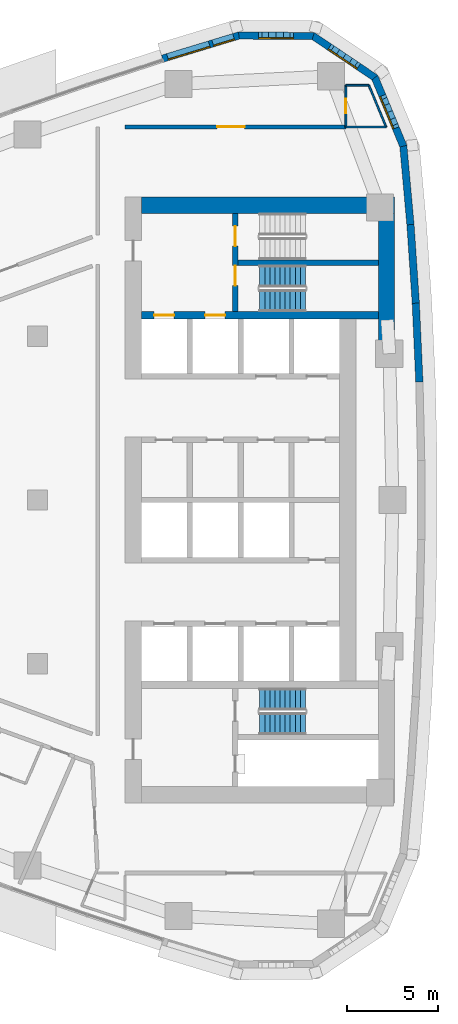
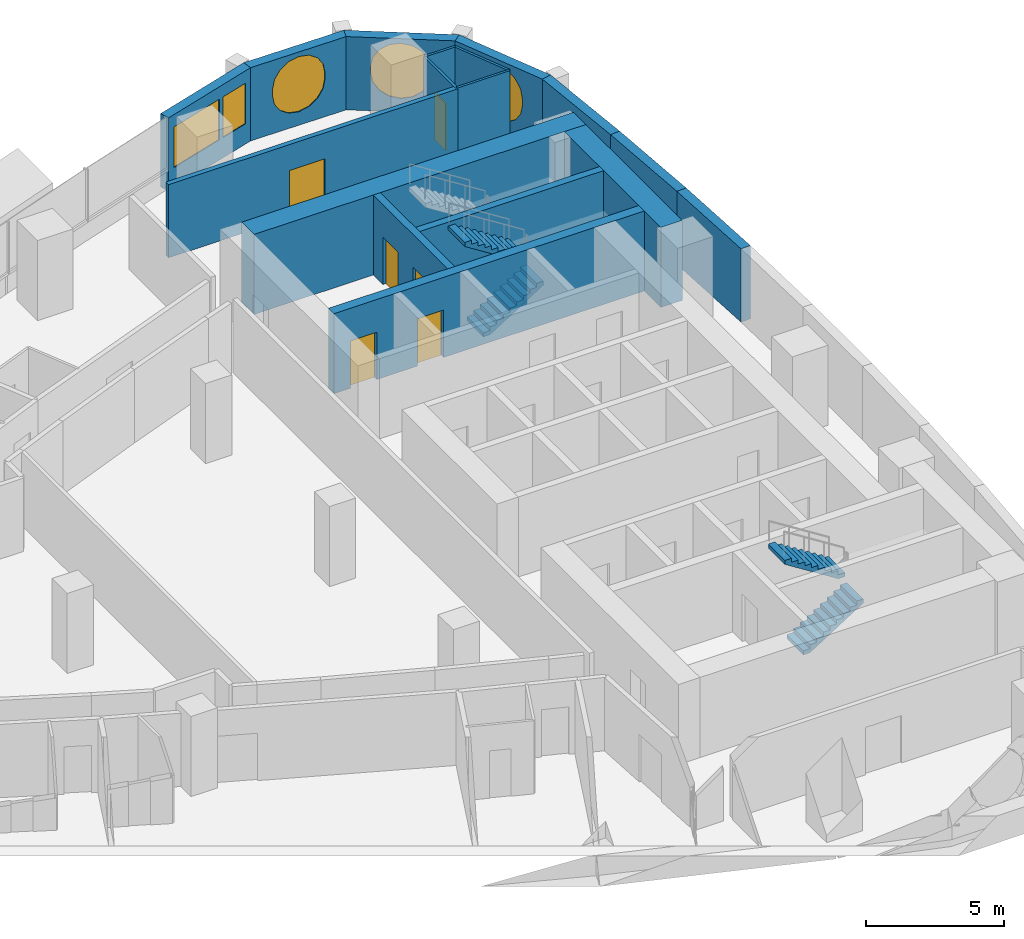
# One storey, part 12 of 17: 17 walls, 6 doors, 5 windows, 4 stair flights, 11 openings, 2 elements without a shape of their own.
"""IFC4 building model written with IfcOpenShell, lengths in metres."""

from ifc_helpers import new_model, si_unit, direction, frame, frame_2d, origin, place, context, subcontext, project, spatial, polyline, rectangle, outline, extrude, material, layer, layer_set, type_object, element, fill, aggregate, save


model = new_model("IFC4")

# Units and contexts
model_context = context("Model", 3, precision=1e-05, world=origin(), true_north=direction((0.0, 1.0)))
body_context = subcontext(model_context, "Body", "Model", "MODEL_VIEW")
ifc_project = project(units=[si_unit("LENGTHUNIT", "METRE"), si_unit("AREAUNIT", "SQUARE_METRE"), si_unit("VOLUMEUNIT", "CUBIC_METRE"), si_unit("PLANEANGLEUNIT", "RADIAN"), si_unit("MASSUNIT", "GRAM", prefix="KILO")], contexts=[model_context])

# Site, building, storey
site_placement = place(None, origin())
site = spatial("IfcSite", under=ifc_project, at=site_placement, CompositionType="ELEMENT")
building_placement = place(site_placement, origin())
building = spatial("IfcBuilding", under=site, at=building_placement, Name="Ostrand Prow Hotel Tower", CompositionType="ELEMENT")
storey_placement = place(building_placement, frame((0.0, 0.0, 133.75)))
storey = spatial("IfcBuildingStorey", under=building, at=storey_placement, Name="L32", CompositionType="ELEMENT", Elevation=133.75)

# Wall, openings, doors
ifc_material_1 = material(Name="Concrete C70/85", Category="concrete")
ifc_layer_1 = layer(ifc_material_1, 0.300048828125)
ifc_layer_set_1 = layer_set([ifc_layer_1], Name="Concrete C70/85")
wall_type_1 = type_object("IfcWallType", Name="Core wall 300 C70/85", PredefinedType="SHEAR", material=ifc_layer_set_1)
wall_1_placement = place(storey_placement, frame((55.85009765625, 10.35009765625, 0.0), z_axis=(0.0, 0.0, 1.0), x_axis=(0.0, 1.0, 0.0)))
wall_1 = element("IfcWall", 1, at=wall_1_placement, inside=storey, type_object=wall_type_1, Name="Core wall PW-VN", PredefinedType="SHEAR", context=body_context, shape_type="SweptSolid", body=[
    extrude(rectangle(XDim=5.39990234375, YDim=0.300048828125, at=frame_2d((2.699951171875, 0.0))), origin(), (0.0, 0.0, 1.0), 3.550048828125),
])
opening_1_placement = place(wall_1_placement, frame((1.429931640625, 0.0, 0.0)))
opening_1 = element("IfcOpeningElement", 2, at=opening_1_placement, cuts=wall_1, Name="Opening FD1", PredefinedType="OPENING", context=body_context, shape_type="SweptSolid", body=[
    extrude(rectangle(XDim=1.10009765625, YDim=2.10009765625, at=frame_2d((0.550048828125, 1.050048828125))), frame((0.0, 0.159912109375, 0.0), z_axis=(0.0, -1.0, 0.0), x_axis=(1.0, 0.0, 0.0)), (0.0, 0.0, 1.0), 0.320068359375),
])
opening_2_placement = place(wall_1_placement, frame((3.60009765625, 0.0, 0.0)))
opening_2 = element("IfcOpeningElement", 3, at=opening_2_placement, cuts=wall_1, Name="Opening FD1", PredefinedType="OPENING", context=body_context, shape_type="SweptSolid", body=[
    extrude(rectangle(XDim=1.10009765625, YDim=2.10009765625, at=frame_2d((0.550048828125, 1.050048828125))), frame((0.0, 0.159912109375, 0.0), z_axis=(0.0, -1.0, 0.0), x_axis=(1.0, 0.0, 0.0)), (0.0, 0.0, 1.0), 0.320068359375),
])
ifc_material_2 = material(Name="Steel fire door", Category="steel")
door_type_1 = type_object("IfcDoorType", Name="Fire door 1100 EI120", OperationType="SINGLE_SWING_RIGHT", PredefinedType="DOOR", material=ifc_material_2)
door_1_placement = place(opening_1_placement, origin())
door_1 = element("IfcDoor", 4, at=door_1_placement, inside=storey, type_object=door_type_1, Name="FIRE DOOR", OperationType="SINGLE_SWING_RIGHT", OverallHeight=2.10009765625, OverallWidth=1.10009765625, PredefinedType="DOOR", context=body_context, shape_type="SweptSolid", body=[
    extrude(rectangle(XDim=1.10009765625, YDim=2.10009765625, at=frame_2d((0.550048828125, 1.050048828125))), frame((0.0, 0.02490234375, 0.0), z_axis=(0.0, -1.0, 0.0), x_axis=(1.0, 0.0, 0.0)), (0.0, 0.0, 1.0), 0.050048828125),
])
fill(opening_1, door_1)
door_2_placement = place(opening_2_placement, origin())
door_2 = element("IfcDoor", 5, at=door_2_placement, inside=storey, type_object=door_type_1, Name="FIRE DOOR", OperationType="SINGLE_SWING_RIGHT", OverallHeight=2.10009765625, OverallWidth=1.10009765625, PredefinedType="DOOR", context=body_context, shape_type="SweptSolid", body=[
    extrude(rectangle(XDim=1.10009765625, YDim=2.10009765625, at=frame_2d((0.550048828125, 1.050048828125))), frame((0.0, 0.02490234375, 0.0), z_axis=(0.0, -1.0, 0.0), x_axis=(1.0, 0.0, 0.0)), (0.0, 0.0, 1.0), 0.050048828125),
])
fill(opening_2, door_2)

# Wall
wall_2_placement = place(storey_placement, frame((56.0, 13.050048828125, 0.0), z_axis=(0.0, 0.0, 1.0), x_axis=(1.0, 0.0, 0.0)))
element("IfcWall", 6, at=wall_2_placement, inside=storey, type_object=wall_type_1, Name="Core wall PW-ST13", PredefinedType="SHEAR", context=body_context, shape_type="SweptSolid", body=[
    extrude(rectangle(XDim=7.719970703125, YDim=0.300048828125, at=frame_2d((3.85986328125, 0.0))), origin(), (0.0, 0.0, 1.0), 3.550048828125),
])

# Wall, openings, doors
ifc_material_3 = material(Name="Concrete C70/85", Category="concrete")
ifc_layer_2 = layer(ifc_material_3, 0.39990234375)
ifc_layer_set_2 = layer_set([ifc_layer_2], Name="Concrete C70/85")
wall_type_2 = type_object("IfcWallType", Name="Core wall 400 C70/85", PredefinedType="SHEAR", material=ifc_layer_set_2)
wall_3_placement = place(storey_placement, frame((50.699951171875, 10.14990234375, 0.0), z_axis=(0.0, 0.0, 1.0), x_axis=(1.0, 0.0, 0.0)))
wall_3 = element("IfcWall", 7, at=wall_3_placement, inside=storey, type_object=wall_type_2, Name="Core wall PW-BN", PredefinedType="SHEAR", context=body_context, shape_type="SweptSolid", body=[
    extrude(rectangle(XDim=13.02001953125, YDim=0.39990234375, at=frame_2d((6.510009765625, 0.0))), origin(), (0.0, 0.0, 1.0), 3.550048828125),
])
opening_3_placement = place(wall_3_placement, frame((0.699951171875, 0.0, 0.0)))
opening_3 = element("IfcOpeningElement", 8, at=opening_3_placement, cuts=wall_3, Name="Opening LD", PredefinedType="OPENING", context=body_context, shape_type="SweptSolid", body=[
    extrude(rectangle(XDim=1.10009765625, YDim=2.10009765625, at=frame_2d((0.550048828125, 1.050048828125))), frame((0.0, 0.2099609375, 0.0), z_axis=(0.0, -1.0, 0.0), x_axis=(1.0, 0.0, 0.0)), (0.0, 0.0, 1.0), 0.419921875),
])
opening_4_placement = place(wall_3_placement, frame((3.5, 0.0, 0.0)))
opening_4 = element("IfcOpeningElement", 9, at=opening_4_placement, cuts=wall_3, Name="Opening LD", PredefinedType="OPENING", context=body_context, shape_type="SweptSolid", body=[
    extrude(rectangle(XDim=1.10009765625, YDim=2.10009765625, at=frame_2d((0.550048828125, 1.050048828125))), frame((0.0, 0.2099609375, 0.0), z_axis=(0.0, -1.0, 0.0), x_axis=(1.0, 0.0, 0.0)), (0.0, 0.0, 1.0), 0.419921875),
])
ifc_material_4 = material(Name="Stainless steel door", Category="steel")
door_type_2 = type_object("IfcDoorType", Name="Lift landing door 1100", OperationType="DOUBLE_DOOR_SLIDING", PredefinedType="DOOR", material=ifc_material_4)
door_3_placement = place(opening_3_placement, origin())
door_3 = element("IfcDoor", 10, at=door_3_placement, inside=storey, type_object=door_type_2, Name="LIFT LANDING DOOR", OperationType="DOUBLE_DOOR_SLIDING", OverallHeight=2.10009765625, OverallWidth=1.10009765625, PredefinedType="DOOR", context=body_context, shape_type="SweptSolid", body=[
    extrude(rectangle(XDim=1.10009765625, YDim=2.10009765625, at=frame_2d((0.550048828125, 1.050048828125))), frame((0.0, 0.02490234375, 0.0), z_axis=(0.0, -1.0, 0.0), x_axis=(1.0, 0.0, 0.0)), (0.0, 0.0, 1.0), 0.050048828125),
])
fill(opening_3, door_3)
door_4_placement = place(opening_4_placement, origin())
door_4 = element("IfcDoor", 11, at=door_4_placement, inside=storey, type_object=door_type_2, Name="LIFT LANDING DOOR", OperationType="DOUBLE_DOOR_SLIDING", OverallHeight=2.10009765625, OverallWidth=1.10009765625, PredefinedType="DOOR", context=body_context, shape_type="SweptSolid", body=[
    extrude(rectangle(XDim=1.10009765625, YDim=2.10009765625, at=frame_2d((0.550048828125, 1.050048828125))), frame((0.0, 0.02490234375, 0.0), z_axis=(0.0, -1.0, 0.0), x_axis=(1.0, 0.0, 0.0)), (0.0, 0.0, 1.0), 0.050048828125),
])
fill(opening_4, door_4)

# Walls
ifc_material_5 = material(Name="Concrete C70/85", Category="concrete")
ifc_layer_3 = layer(ifc_material_5, 0.89990234375)
ifc_layer_set_3 = layer_set([ifc_layer_3], Name="Concrete C70/85")
wall_type_3 = type_object("IfcWallType", Name="Core wall 900 C70/85", PredefinedType="SHEAR", material=ifc_layer_set_3)
wall_4_placement = place(storey_placement, frame((50.699951171875, 16.199951171875, 0.0), z_axis=(0.0, 0.0, 1.0), x_axis=(1.0, 0.0, 0.0)))
element("IfcWall", 12, at=wall_4_placement, inside=storey, type_object=wall_type_3, Name="Core wall CW-N", PredefinedType="SHEAR", context=body_context, shape_type="SweptSolid", body=[
    extrude(rectangle(XDim=13.920166015625, YDim=0.89990234375, at=frame_2d((6.9599609375, 0.0))), origin(), (0.0, 0.0, 1.0), 3.550048828125),
])
wall_5_placement = place(storey_placement, frame((64.169921875, 8.74462890625, 0.0), z_axis=(0.0, 0.0, 1.0), x_axis=(0.0, 1.0, 0.0)))
element("IfcWall", 13, at=wall_5_placement, inside=storey, type_object=wall_type_3, Name="Core wall CW-E-N", PredefinedType="SHEAR", context=body_context, shape_type="SweptSolid", body=[
    extrude(rectangle(XDim=7.00537109375, YDim=0.89990234375, at=frame_2d((3.502685546875, 0.0))), origin(), (0.0, 0.0, 1.0), 3.550048828125),
])

# Wall, opening, door
ifc_material_6 = material(Name="Plasterboard partition")
ifc_layer_4 = layer(ifc_material_6, 0.10009765625)
ifc_layer_set_4 = layer_set([ifc_layer_4], Name="Plasterboard partition")
wall_type_4 = type_object("IfcWallType", Name="Partition 100 bathroom wall", PredefinedType="PARTITIONING", material=ifc_layer_set_4)
wall_6_placement = place(storey_placement, frame((61.9375, 20.5, 0.0), z_axis=(0.0, 0.0, 1.0), x_axis=(0.0, 1.0, 0.0)))
wall_6 = element("IfcWall", 14, at=wall_6_placement, inside=storey, type_object=wall_type_4, Name="BATHROOM WALL", PredefinedType="PARTITIONING", context=body_context, shape_type="SweptSolid", body=[
    extrude(rectangle(XDim=2.300048828125, YDim=0.10009765625, at=frame_2d((1.14990234375, 0.0))), origin(), (0.0, 0.0, 1.0), 3.25),
])
opening_5_placement = place(wall_6_placement, frame((0.75, 0.0, 0.0)))
opening_5 = element("IfcOpeningElement", 15, at=opening_5_placement, cuts=wall_6, Name="Opening D2", PredefinedType="OPENING", context=body_context, shape_type="SweptSolid", body=[
    extrude(rectangle(XDim=0.800048828125, YDim=2.10009765625, at=frame_2d((0.39990234375, 1.050048828125))), frame((0.0, 0.06005859375, 0.0), z_axis=(0.0, -1.0, 0.0), x_axis=(1.0, 0.0, 0.0)), (0.0, 0.0, 1.0), 0.1201171875),
])
ifc_material_7 = material(Name="Timber door leaf", Category="wood")
door_type_3 = type_object("IfcDoorType", Name="Bathroom door 800", OperationType="SINGLE_SWING_LEFT", PredefinedType="DOOR", material=ifc_material_7)
door_5_placement = place(opening_5_placement, origin())
door_5 = element("IfcDoor", 16, at=door_5_placement, inside=storey, type_object=door_type_3, Name="DOOR", OperationType="SINGLE_SWING_LEFT", OverallHeight=2.10009765625, OverallWidth=0.800048828125, PredefinedType="DOOR", context=body_context, shape_type="SweptSolid", body=[
    extrude(rectangle(XDim=0.800048828125, YDim=2.10009765625, at=frame_2d((0.39990234375, 1.050048828125))), frame((0.0, 0.02490234375, 0.0), z_axis=(0.0, -1.0, 0.0), x_axis=(1.0, 0.0, 0.0)), (0.0, 0.0, 1.0), 0.050048828125),
])
fill(opening_5, door_5)

# Walls
wall_7_placement = place(storey_placement, frame((61.9375, 22.800048828125, 0.0), z_axis=(0.0, 0.0, 1.0), x_axis=(1.0, 0.0, 0.0)))
element("IfcWall", 17, at=wall_7_placement, inside=storey, type_object=wall_type_4, Name="BATHROOM WALL", PredefinedType="PARTITIONING", context=body_context, shape_type="SweptSolid", body=[
    extrude(rectangle(XDim=1.2607421875, YDim=0.10009765625, at=frame_2d((0.63037109375, 0.0))), origin(), (0.0, 0.0, 1.0), 3.25),
])
wall_8_placement = place(storey_placement, frame((63.1982421875, 22.800048828125, 0.0), z_axis=(0.0, 0.0, 1.0), x_axis=(0.383855043906, -0.923393364319, 0.0)))
element("IfcWall", 18, at=wall_8_placement, inside=storey, type_object=wall_type_4, Name="BATHROOM WALL", PredefinedType="PARTITIONING", context=body_context, shape_type="SweptSolid", body=[
    extrude(rectangle(XDim=2.485595703125, YDim=0.10009765625, at=frame_2d((1.24267578125, 0.0))), origin(), (0.0, 0.0, 1.0), 3.25),
])
wall_9_placement = place(storey_placement, frame((64.15234375, 20.5048828125, 0.0), z_axis=(0.0, 0.0, 1.0), x_axis=(-1.0, 0.0, 0.0)))
element("IfcWall", 19, at=wall_9_placement, inside=storey, type_object=wall_type_4, Name="BATHROOM WALL", PredefinedType="PARTITIONING", context=body_context, shape_type="SweptSolid", body=[
    extrude(rectangle(XDim=2.21484375, YDim=0.10009765625, at=frame_2d((1.107421875, 0.0))), origin(), (0.0, 0.0, 1.0), 3.25),
])

# Wall, opening, door
ifc_material_8 = material(Name="Plasterboard partition")
ifc_layer_5 = layer(ifc_material_8, 0.199951171875)
ifc_layer_set_5 = layer_set([ifc_layer_5], Name="Plasterboard partition")
wall_type_5 = type_object("IfcWallType", Name="Partition 200 corridor wall", PredefinedType="PARTITIONING", material=ifc_layer_set_5)
wall_10_placement = place(storey_placement, frame((61.9326171875, 20.5048828125, 0.0), z_axis=(0.0, 0.0, 1.0), x_axis=(-1.0, 0.0, 0.0)))
wall_10 = element("IfcWall", 20, at=wall_10_placement, inside=storey, type_object=wall_type_5, Name="CORRIDOR WALL", PredefinedType="PARTITIONING", context=body_context, shape_type="SweptSolid", body=[
    extrude(rectangle(XDim=12.132568359375, YDim=0.199951171875, at=frame_2d((6.06640625, 0.0))), origin(), (0.0, 0.0, 1.0), 3.25),
])
opening_6_placement = place(wall_10_placement, frame((5.56640625, 0.0, 0.0)))
opening_6 = element("IfcOpeningElement", 21, at=opening_6_placement, cuts=wall_10, Name="Opening D15", PredefinedType="OPENING", context=body_context, shape_type="SweptSolid", body=[
    extrude(rectangle(XDim=1.5, YDim=2.10009765625, at=frame_2d((0.75, 1.050048828125))), frame((0.0, 0.10986328125, 0.0), z_axis=(0.0, -1.0, 0.0), x_axis=(1.0, 0.0, 0.0)), (0.0, 0.0, 1.0), 0.219970703125),
])
ifc_material_9 = material(Name="Timber door leaf", Category="wood")
door_type_4 = type_object("IfcDoorType", Name="Double door 1500", OperationType="DOUBLE_DOOR_SINGLE_SWING", PredefinedType="DOOR", material=ifc_material_9)
door_6_placement = place(opening_6_placement, origin())
door_6 = element("IfcDoor", 22, at=door_6_placement, inside=storey, type_object=door_type_4, Name="DOOR", OperationType="DOUBLE_DOOR_SINGLE_SWING", OverallHeight=2.10009765625, OverallWidth=1.5, PredefinedType="DOOR", context=body_context, shape_type="SweptSolid", body=[
    extrude(rectangle(XDim=1.5, YDim=2.10009765625, at=frame_2d((0.75, 1.050048828125))), frame((0.0, 0.02490234375, 0.0), z_axis=(0.0, -1.0, 0.0), x_axis=(1.0, 0.0, 0.0)), (0.0, 0.0, 1.0), 0.050048828125),
])
fill(opening_6, door_6)

# Walls
ifc_material_10 = material(Name="Precast concrete C40/50", Category="concrete")
ifc_layer_6 = layer(ifc_material_10, 0.39990234375)
ifc_layer_set_6 = layer_set([ifc_layer_6], Name="Precast concrete C40/50")
wall_type_6 = type_object("IfcWallType", Name="Stone-faced precast wall 400 mm", PredefinedType="NOTDEFINED", material=ifc_layer_set_6)
for number, where, z_axis, x_axis, name in (
    (23, (65.977783203125, 6.4921875, 0.0), (0.0, 0.0, 1.0), (-0.045228592312, 0.99897666361, 0.0), "Stone-faced wall back 11"),
    (24, (65.781982421875, 10.81689453125, 0.0), (0.0, 0.0, 1.0), (-0.067731727279, 0.997703569764, 0.0), "Stone-faced wall back 12"),
):
    element("IfcWall", number, at=place(storey_placement, frame(where, z_axis=z_axis, x_axis=x_axis)), inside=storey, type_object=wall_type_6, Name=name, PredefinedType="NOTDEFINED", context=body_context, shape_type="SweptSolid", body=[
        extrude(outline(polyline([(-0.002197265625, -0.199951171875), (4.331298828125, -0.199951171875), (4.326904296875, 0.199951171875), (0.002197265625, 0.199951171875), (-0.002197265625, -0.199951171875)])), origin(), (0.0, 0.0, 1.0), 3.25),
    ])
wall_11_placement = place(storey_placement, frame((65.48876953125, 15.135986328125, 0.0), z_axis=(0.0, 0.0, 1.0), x_axis=(-0.090296735989, 0.995914905737, 0.0)))
element("IfcWall", 25, at=wall_11_placement, inside=storey, type_object=wall_type_6, Name="Stone-faced wall back 13", PredefinedType="NOTDEFINED", context=body_context, shape_type="SweptSolid", body=[
    extrude(outline(polyline([(-0.002197265625, -0.199951171875), (4.359130859375, -0.199951171875), (4.298095703125, 0.199951171875), (0.002197265625, 0.199951171875), (-0.002197265625, -0.199951171875)])), origin(), (0.0, 0.0, 1.0), 3.25),
])

# Wall, opening, window
wall_12_placement = place(storey_placement, frame((65.097900390625, 19.447021484375, 0.0), z_axis=(0.0, 0.0, 1.0), x_axis=(-0.383817293519, 0.923409056267, 0.0)))
wall_12 = element("IfcWall", 26, at=wall_12_placement, inside=storey, type_object=wall_type_6, Name="Stone-faced wall back 14", PredefinedType="NOTDEFINED", context=body_context, shape_type="SweptSolid", body=[
    extrude(outline(polyline([(-0.030517578125, -0.199951171875), (4.14453125, -0.199951171875), (4.02392578125, 0.199951171875), (0.030517578125, 0.199951171875), (-0.030517578125, -0.199951171875)])), origin(), (0.0, 0.0, 1.0), 3.25),
])
opening_7_placement = place(wall_12_placement, frame((0.94189453125, 0.0, 0.60009765625)))
opening_7 = element("IfcOpeningElement", 27, at=opening_7_placement, cuts=wall_12, Name="Opening WP1", PredefinedType="OPENING", context=body_context, shape_type="SweptSolid", body=[
    extrude(outline(polyline([(0.0, 1.35009765625), (0.083740234375, 1.77099609375), (0.322265625, 2.127685546875), (0.678955078125, 2.3662109375), (1.10009765625, 2.449951171875), (1.52099609375, 2.3662109375), (1.877685546875, 2.127685546875), (2.1162109375, 1.77099609375), (2.199951171875, 1.35009765625), (2.199951171875, 1.10009765625), (2.1162109375, 0.678955078125), (1.877685546875, 0.322265625), (1.52099609375, 0.083740234375), (1.10009765625, 0.0), (0.678955078125, 0.083740234375), (0.322265625, 0.322265625), (0.083740234375, 0.678955078125), (0.0, 1.099853515625), (0.0, 1.35009765625)])), frame((0.0, 0.2099609375, 0.0), z_axis=(0.0, -1.0, 0.0), x_axis=(1.0, 0.0, 0.0)), (0.0, 0.0, 1.0), 0.419921875),
])
ifc_material_11 = material(Name="Insulated glass in bronze frame", Category="glass")
window_type_1 = type_object("IfcWindowType", Name="Round-ended prow window 2200x2450", PartitioningType="SINGLE_PANEL", PredefinedType="WINDOW", material=ifc_material_11)
window_1_placement = place(opening_7_placement, origin())
window_1 = element("IfcWindow", 28, at=window_1_placement, inside=storey, type_object=window_type_1, Name="Window back 14.1", OverallHeight=2.449951171875, OverallWidth=2.199951171875, PartitioningType="SINGLE_PANEL", PredefinedType="WINDOW", context=body_context, shape_type="SweptSolid", body=[
    extrude(outline(polyline([(0.0, 1.35009765625), (0.083740234375, 1.77099609375), (0.322265625, 2.127685546875), (0.678955078125, 2.3662109375), (1.10009765625, 2.449951171875), (1.52099609375, 2.3662109375), (1.877685546875, 2.127685546875), (2.1162109375, 1.77099609375), (2.199951171875, 1.35009765625), (2.199951171875, 1.10009765625), (2.1162109375, 0.678955078125), (1.877685546875, 0.322265625), (1.52099609375, 0.083740234375), (1.10009765625, 0.0), (0.678955078125, 0.083740234375), (0.322265625, 0.322265625), (0.083740234375, 0.678955078125), (0.0, 1.099853515625), (0.0, 1.35009765625)])), frame((0.0, 0.169921875, 0.0), z_axis=(0.0, -1.0, 0.0), x_axis=(1.0, 0.0, 0.0)), (0.0, 0.0, 1.0), 0.06005859375),
])
fill(opening_7, window_1)

wall_13_placement = place(storey_placement, frame((63.5302734375, 23.218505859375, 0.0), z_axis=(0.0, 0.0, 1.0), x_axis=(-0.829642062482, 0.558295663749, 0.0)))
wall_13 = element("IfcWall", 29, at=wall_13_placement, inside=storey, type_object=wall_type_6, Name="Stone-faced wall back 15", PredefinedType="NOTDEFINED", context=body_context, shape_type="SweptSolid", body=[
    extrude(outline(polyline([(-0.060302734375, -0.199951171875), (4.144287109375, -0.199951171875), (4.023681640625, 0.199951171875), (0.060302734375, 0.199951171875), (-0.060302734375, -0.199951171875)])), origin(), (0.0, 0.0, 1.0), 3.25),
])
opening_8_placement = place(wall_13_placement, frame((0.94189453125, 0.0, 0.60009765625)))
opening_8 = element("IfcOpeningElement", 30, at=opening_8_placement, cuts=wall_13, Name="Opening WP1", PredefinedType="OPENING", context=body_context, shape_type="SweptSolid", body=[
    extrude(outline(polyline([(0.0, 1.35009765625), (0.083740234375, 1.77099609375), (0.322265625, 2.127685546875), (0.678955078125, 2.3662109375), (1.10009765625, 2.449951171875), (1.52099609375, 2.3662109375), (1.877685546875, 2.127685546875), (2.1162109375, 1.77099609375), (2.199951171875, 1.35009765625), (2.199951171875, 1.10009765625), (2.1162109375, 0.678955078125), (1.877685546875, 0.322265625), (1.52099609375, 0.083740234375), (1.10009765625, 0.0), (0.678955078125, 0.083740234375), (0.322265625, 0.322265625), (0.083740234375, 0.678955078125), (0.0, 1.099853515625), (0.0, 1.35009765625)])), frame((0.0, 0.2099609375, 0.0), z_axis=(0.0, -1.0, 0.0), x_axis=(1.0, 0.0, 0.0)), (0.0, 0.0, 1.0), 0.419921875),
])
window_2_placement = place(opening_8_placement, origin())
window_2 = element("IfcWindow", 31, at=window_2_placement, inside=storey, type_object=window_type_1, Name="Window back 15.1", OverallHeight=2.449951171875, OverallWidth=2.199951171875, PartitioningType="SINGLE_PANEL", PredefinedType="WINDOW", context=body_context, shape_type="SweptSolid", body=[
    extrude(outline(polyline([(0.0, 1.35009765625), (0.083740234375, 1.77099609375), (0.322265625, 2.127685546875), (0.678955078125, 2.3662109375), (1.10009765625, 2.449951171875), (1.52099609375, 2.3662109375), (1.877685546875, 2.127685546875), (2.1162109375, 1.77099609375), (2.199951171875, 1.35009765625), (2.199951171875, 1.10009765625), (2.1162109375, 0.678955078125), (1.877685546875, 0.322265625), (1.52099609375, 0.083740234375), (1.10009765625, 0.0), (0.678955078125, 0.083740234375), (0.322265625, 0.322265625), (0.083740234375, 0.678955078125), (0.0, 1.099853515625), (0.0, 1.35009765625)])), frame((0.0, 0.169921875, 0.0), z_axis=(0.0, -1.0, 0.0), x_axis=(1.0, 0.0, 0.0)), (0.0, 0.0, 1.0), 0.06005859375),
])
fill(opening_8, window_2)

wall_14_placement = place(storey_placement, frame((60.14208984375, 25.49853515625, 0.0), z_axis=(0.0, 0.0, 1.0), x_axis=(-0.99996933771, 0.007830941131, 0.0)))
wall_14 = element("IfcWall", 32, at=wall_14_placement, inside=storey, type_object=wall_type_6, Name="Stone-faced wall back 16", PredefinedType="NOTDEFINED", context=body_context, shape_type="SweptSolid", body=[
    extrude(outline(polyline([(-0.060302734375, -0.199951171875), (4.11474609375, -0.199951171875), (4.0537109375, 0.199951171875), (0.060302734375, 0.199951171875), (-0.060302734375, -0.199951171875)])), origin(), (0.0, 0.0, 1.0), 3.25),
])
opening_9_placement = place(wall_14_placement, frame((0.94189453125, 0.0, 0.60009765625)))
opening_9 = element("IfcOpeningElement", 33, at=opening_9_placement, cuts=wall_14, Name="Opening WP1", PredefinedType="OPENING", context=body_context, shape_type="SweptSolid", body=[
    extrude(outline(polyline([(0.0, 1.35009765625), (0.083740234375, 1.77099609375), (0.322265625, 2.127685546875), (0.678955078125, 2.3662109375), (1.10009765625, 2.449951171875), (1.52099609375, 2.3662109375), (1.877685546875, 2.127685546875), (2.1162109375, 1.77099609375), (2.199951171875, 1.35009765625), (2.199951171875, 1.10009765625), (2.1162109375, 0.678955078125), (1.877685546875, 0.322265625), (1.52099609375, 0.083740234375), (1.10009765625, 0.0), (0.678955078125, 0.083740234375), (0.322265625, 0.322265625), (0.083740234375, 0.678955078125), (0.0, 1.099853515625), (0.0, 1.35009765625)])), frame((0.0, 0.2099609375, 0.0), z_axis=(0.0, -1.0, 0.0), x_axis=(1.0, 0.0, 0.0)), (0.0, 0.0, 1.0), 0.419921875),
])
window_3_placement = place(opening_9_placement, origin())
window_3 = element("IfcWindow", 34, at=window_3_placement, inside=storey, type_object=window_type_1, Name="Window back 16.1", OverallHeight=2.449951171875, OverallWidth=2.199951171875, PartitioningType="SINGLE_PANEL", PredefinedType="WINDOW", context=body_context, shape_type="SweptSolid", body=[
    extrude(outline(polyline([(0.0, 1.35009765625), (0.083740234375, 1.77099609375), (0.322265625, 2.127685546875), (0.678955078125, 2.3662109375), (1.10009765625, 2.449951171875), (1.52099609375, 2.3662109375), (1.877685546875, 2.127685546875), (2.1162109375, 1.77099609375), (2.199951171875, 1.35009765625), (2.199951171875, 1.10009765625), (2.1162109375, 0.678955078125), (1.877685546875, 0.322265625), (1.52099609375, 0.083740234375), (1.10009765625, 0.0), (0.678955078125, 0.083740234375), (0.322265625, 0.322265625), (0.083740234375, 0.678955078125), (0.0, 1.099853515625), (0.0, 1.35009765625)])), frame((0.0, 0.169921875, 0.0), z_axis=(0.0, -1.0, 0.0), x_axis=(1.0, 0.0, 0.0)), (0.0, 0.0, 1.0), 0.06005859375),
])
fill(opening_9, window_3)

# Wall, openings, windows
wall_15_placement = place(storey_placement, frame((56.05810546875, 25.530517578125, 0.0), z_axis=(0.0, 0.0, 1.0), x_axis=(-0.956964488344, -0.290205044837, 0.0)))
wall_15 = element("IfcWall", 35, at=wall_15_placement, inside=storey, type_object=wall_type_6, Name="Stone-faced wall back 17", PredefinedType="NOTDEFINED", context=body_context, shape_type="SweptSolid", body=[
    extrude(outline(polyline([(-0.030517578125, -0.199951171875), (4.387939453125, -0.199951171875), (4.387939453125, 0.199951171875), (0.030517578125, 0.199951171875), (-0.030517578125, -0.199951171875)])), origin(), (0.0, 0.0, 1.0), 3.25),
])
opening_10_placement = place(wall_15_placement, frame((0.2939453125, 0.0, 0.89990234375)))
opening_10 = element("IfcOpeningElement", 36, at=opening_10_placement, cuts=wall_15, Name="Opening WS4", PredefinedType="OPENING", context=body_context, shape_type="SweptSolid", body=[
    extrude(rectangle(XDim=1.199951171875, YDim=1.800048828125, at=frame_2d((0.60009765625, 0.89990234375))), frame((0.0, 0.2099609375, 0.0), z_axis=(0.0, -1.0, 0.0), x_axis=(1.0, 0.0, 0.0)), (0.0, 0.0, 1.0), 0.419921875),
])
opening_11_placement = place(wall_15_placement, frame((1.694091796875, 0.0, 0.89990234375)))
opening_11 = element("IfcOpeningElement", 37, at=opening_11_placement, cuts=wall_15, Name="Opening WS5-24", PredefinedType="OPENING", context=body_context, shape_type="SweptSolid", body=[
    extrude(rectangle(XDim=2.39990234375, YDim=1.800048828125, at=frame_2d((1.199951171875, 0.89990234375))), frame((0.0, 0.2099609375, 0.0), z_axis=(0.0, -1.0, 0.0), x_axis=(1.0, 0.0, 0.0)), (0.0, 0.0, 1.0), 0.419921875),
])
ifc_material_12 = material(Name="Insulated glass in bronze frame", Category="glass")
window_type_2 = type_object("IfcWindowType", Name="Fixed strip window 2400x1800", PartitioningType="SINGLE_PANEL", PredefinedType="WINDOW", material=ifc_material_12)
window_4_placement = place(opening_11_placement, origin())
window_4 = element("IfcWindow", 38, at=window_4_placement, inside=storey, type_object=window_type_2, Name="Window back 17.2", OverallHeight=1.800048828125, OverallWidth=2.39990234375, PartitioningType="SINGLE_PANEL", PredefinedType="WINDOW", context=body_context, shape_type="SweptSolid", body=[
    extrude(rectangle(XDim=2.39990234375, YDim=1.800048828125, at=frame_2d((1.199951171875, 0.89990234375))), frame((0.0, 0.169921875, 0.0), z_axis=(0.0, -1.0, 0.0), x_axis=(1.0, 0.0, 0.0)), (0.0, 0.0, 1.0), 0.06005859375),
])
fill(opening_11, window_4)
ifc_material_13 = material(Name="Insulated glass in bronze frame", Category="glass")
window_type_3 = type_object("IfcWindowType", Name="Operable strip panel 1200x1800", PartitioningType="SINGLE_PANEL", PredefinedType="WINDOW", material=ifc_material_13)
window_5_placement = place(opening_10_placement, origin())
window_5 = element("IfcWindow", 39, at=window_5_placement, inside=storey, type_object=window_type_3, Name="Window back 17.1", OverallHeight=1.800048828125, OverallWidth=1.199951171875, PartitioningType="SINGLE_PANEL", PredefinedType="WINDOW", context=body_context, shape_type="SweptSolid", body=[
    extrude(rectangle(XDim=1.199951171875, YDim=1.800048828125, at=frame_2d((0.60009765625, 0.89990234375))), frame((0.0, 0.169921875, 0.0), z_axis=(0.0, -1.0, 0.0), x_axis=(1.0, 0.0, 0.0)), (0.0, 0.0, 1.0), 0.06005859375),
])
fill(opening_10, window_5)

# Stair, stair flights
ifc_material_14 = material(Name="Concrete C40/50", Category="concrete")
stair_type = type_object("IfcStairType", Name="Exit stair 1200 upper zone", PredefinedType="HALF_TURN_STAIR", material=ifc_material_14)
stair_1_placement = place(storey_placement, origin())
stair_1 = element("IfcStair", 40, at=stair_1_placement, inside=storey, type_object=stair_type, Name="L32 ST1C", PredefinedType="HALF_TURN_STAIR")
ifc_material_15 = material(Name="Concrete C40/50", Category="concrete")
stair_flight_type = type_object("IfcStairFlightType", Name="Stair flight 1200 concrete", PredefinedType="STRAIGHT", material=ifc_material_15)
stair_flight_1_placement = place(storey_placement, frame((57.199951171875, 10.949951171875, 0.0), z_axis=(0.0, 0.0, 1.0), x_axis=(1.0, 0.0, 0.0)))
stair_flight_1 = element("IfcStairFlight", 41, at=stair_flight_1_placement, type_object=stair_flight_type, Name="ST1C flight 1", NumberOfRisers=10, NumberOfTreads=9, PredefinedType="STRAIGHT", RiserHeight=0.1775, TreadLength=0.28, context=body_context, shape_type="SweptSolid", body=[
    extrude(outline(polyline([(0.0, 0.0), (0.0, 0.177490234375), (0.280029296875, 0.177490234375), (0.280029296875, 0.35498046875), (0.56005859375, 0.35498046875), (0.56005859375, 0.532470703125), (0.840087890625, 0.532470703125), (0.840087890625, 0.7099609375), (1.1201171875, 0.7099609375), (1.1201171875, 0.887451171875), (1.39990234375, 0.887451171875), (1.39990234375, 1.06494140625), (1.679931640625, 1.06494140625), (1.679931640625, 1.242431640625), (1.9599609375, 1.242431640625), (1.9599609375, 1.419921875), (2.239990234375, 1.419921875), (2.239990234375, 1.597412109375), (2.52001953125, 1.597412109375), (2.52001953125, 1.77490234375), (2.52001953125, 1.419921875), (0.280029296875, 0.0), (0.0, 0.0)])), frame((0.0, 0.60009765625, 0.0), z_axis=(0.0, -1.0, 0.0), x_axis=(1.0, 0.0, 0.0)), (0.0, 0.0, 1.0), 1.199951171875),
])
stair_flight_2_placement = place(storey_placement, frame((59.719970703125, 12.300048828125, 1.77490234375), z_axis=(0.0, 0.0, 1.0), x_axis=(-1.0, 0.0, 0.0)))
stair_flight_2 = element("IfcStairFlight", 42, at=stair_flight_2_placement, type_object=stair_flight_type, Name="ST1C flight 2", NumberOfRisers=10, NumberOfTreads=9, PredefinedType="STRAIGHT", RiserHeight=0.1775, TreadLength=0.28, context=body_context, shape_type="SweptSolid", body=[
    extrude(outline(polyline([(0.0, 0.0), (0.0, 0.177490234375), (0.280029296875, 0.177490234375), (0.280029296875, 0.35498046875), (0.56005859375, 0.35498046875), (0.56005859375, 0.532470703125), (0.840087890625, 0.532470703125), (0.840087890625, 0.7099609375), (1.1201171875, 0.7099609375), (1.1201171875, 0.887451171875), (1.39990234375, 0.887451171875), (1.39990234375, 1.06494140625), (1.679931640625, 1.06494140625), (1.679931640625, 1.242431640625), (1.9599609375, 1.242431640625), (1.9599609375, 1.419921875), (2.239990234375, 1.419921875), (2.239990234375, 1.597412109375), (2.52001953125, 1.597412109375), (2.52001953125, 1.77490234375), (2.52001953125, 1.419921875), (0.280029296875, 0.0), (0.0, 0.0)])), frame((0.0, 0.60009765625, 0.0), z_axis=(0.0, -1.0, 0.0), x_axis=(1.0, 0.0, 0.0)), (0.0, 0.0, 1.0), 1.199951171875),
])
aggregate(stair_1, [stair_flight_1, stair_flight_2])

stair_2_placement = place(storey_placement, origin())
stair_2 = element("IfcStair", 43, at=stair_2_placement, inside=storey, type_object=stair_type, Name="L32 ST2C", PredefinedType="HALF_TURN_STAIR")
stair_flight_3_placement = place(storey_placement, frame((57.199951171875, -12.300048828125, 0.0), z_axis=(0.0, 0.0, 1.0), x_axis=(1.0, 0.0, 0.0)))
stair_flight_3 = element("IfcStairFlight", 44, at=stair_flight_3_placement, type_object=stair_flight_type, Name="ST2C flight 1", NumberOfRisers=10, NumberOfTreads=9, PredefinedType="STRAIGHT", RiserHeight=0.1775, TreadLength=0.28, context=body_context, shape_type="SweptSolid", body=[
    extrude(outline(polyline([(0.0, 0.0), (0.0, 0.177490234375), (0.280029296875, 0.177490234375), (0.280029296875, 0.35498046875), (0.56005859375, 0.35498046875), (0.56005859375, 0.532470703125), (0.840087890625, 0.532470703125), (0.840087890625, 0.7099609375), (1.1201171875, 0.7099609375), (1.1201171875, 0.887451171875), (1.39990234375, 0.887451171875), (1.39990234375, 1.06494140625), (1.679931640625, 1.06494140625), (1.679931640625, 1.242431640625), (1.9599609375, 1.242431640625), (1.9599609375, 1.419921875), (2.239990234375, 1.419921875), (2.239990234375, 1.597412109375), (2.52001953125, 1.597412109375), (2.52001953125, 1.77490234375), (2.52001953125, 1.419921875), (0.280029296875, 0.0), (0.0, 0.0)])), frame((0.0, 0.60009765625, 0.0), z_axis=(0.0, -1.0, 0.0), x_axis=(1.0, 0.0, 0.0)), (0.0, 0.0, 1.0), 1.199951171875),
])
stair_flight_4_placement = place(storey_placement, frame((59.719970703125, -10.949951171875, 1.77490234375), z_axis=(0.0, 0.0, 1.0), x_axis=(-1.0, 0.0, 0.0)))
stair_flight_4 = element("IfcStairFlight", 45, at=stair_flight_4_placement, type_object=stair_flight_type, Name="ST2C flight 2", NumberOfRisers=10, NumberOfTreads=9, PredefinedType="STRAIGHT", RiserHeight=0.1775, TreadLength=0.28, context=body_context, shape_type="SweptSolid", body=[
    extrude(outline(polyline([(0.0, 0.0), (0.0, 0.177490234375), (0.280029296875, 0.177490234375), (0.280029296875, 0.35498046875), (0.56005859375, 0.35498046875), (0.56005859375, 0.532470703125), (0.840087890625, 0.532470703125), (0.840087890625, 0.7099609375), (1.1201171875, 0.7099609375), (1.1201171875, 0.887451171875), (1.39990234375, 0.887451171875), (1.39990234375, 1.06494140625), (1.679931640625, 1.06494140625), (1.679931640625, 1.242431640625), (1.9599609375, 1.242431640625), (1.9599609375, 1.419921875), (2.239990234375, 1.419921875), (2.239990234375, 1.597412109375), (2.52001953125, 1.597412109375), (2.52001953125, 1.77490234375), (2.52001953125, 1.419921875), (0.280029296875, 0.0), (0.0, 0.0)])), frame((0.0, 0.60009765625, 0.0), z_axis=(0.0, -1.0, 0.0), x_axis=(1.0, 0.0, 0.0)), (0.0, 0.0, 1.0), 1.199951171875),
])
aggregate(stair_2, [stair_flight_3, stair_flight_4])

save(model, "model.ifc")
